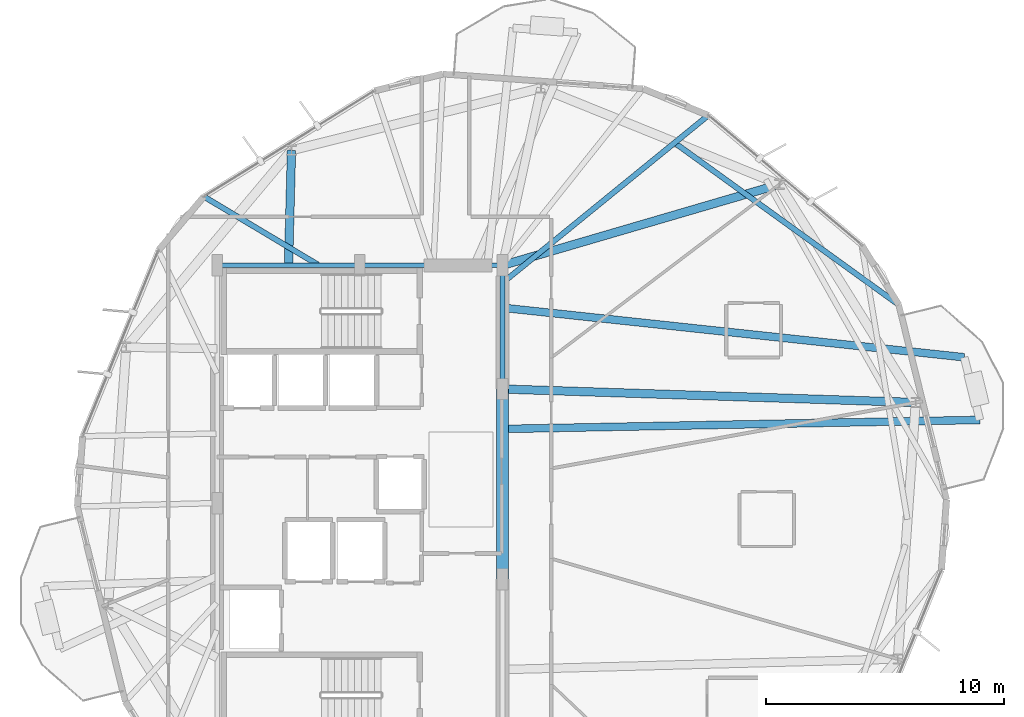
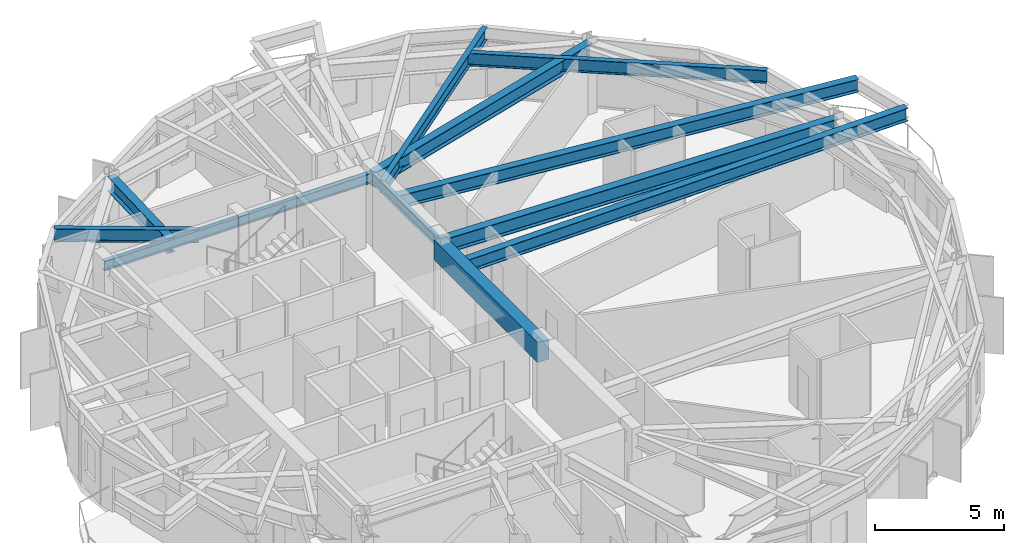
# One storey, part 7 of 21: 12 beams.
"""IFC4 building model written with IfcOpenShell, lengths in metres."""

from ifc_helpers import new_model, si_unit, direction, frame, origin, origin_2d, place, context, subcontext, project, spatial, rectangle, i_section, extrude, material, material_profile, profile_set, type_object, element, save


model = new_model("IFC4")

# Units and contexts
model_context = context("Model", 3, precision=1e-05, world=origin(), true_north=direction((0.0, 1.0)))
body_context = subcontext(model_context, "Body", "Model", "MODEL_VIEW")
ifc_project = project(units=[si_unit("LENGTHUNIT", "METRE"), si_unit("AREAUNIT", "SQUARE_METRE"), si_unit("VOLUMEUNIT", "CUBIC_METRE"), si_unit("PLANEANGLEUNIT", "RADIAN"), si_unit("MASSUNIT", "GRAM", prefix="KILO")], contexts=[model_context])

# Site, building, storey
site_placement = place(None, origin())
site = spatial("IfcSite", under=ifc_project, at=site_placement, CompositionType="ELEMENT")
building_placement = place(site_placement, origin())
building = spatial("IfcBuilding", under=site, at=building_placement, Name="Soratama Intermodal Tower", CompositionType="ELEMENT")
storey_placement = place(building_placement, frame((0.0, 0.0, 153.39990234375)))
storey = spatial("IfcBuildingStorey", under=building, at=storey_placement, Name="L37", CompositionType="ELEMENT", Elevation=153.39990234375)

# Beams
ifc_material_1 = material(Name="Structural steel ASTM A992 Grade 50", Category="steel")
ifc_material_profile_1 = material_profile(ifc_material_1, i_section(OverallWidth=0.324951171875, OverallDepth=0.615966796875, WebThickness=0.013916015625, FlangeThickness=0.021484375, FilletRadius=0.013916015625, at=origin_2d()), Name="W24X117")
ifc_profile_set_1 = profile_set([ifc_material_profile_1], Name="Structural steel ASTM A992 Grade 50")
beam_type_1 = type_object("IfcBeamType", Name="BM-CANT-W24X117", PredefinedType="BEAM", material=ifc_profile_set_1)
beam_1_placement = place(storey_placement, frame((44.8349609375, 28.1240234375, 2.9921875), z_axis=(0.999820508175, 0.018946013641, 0.0), x_axis=(-0.018946013641, 0.999820508175, 0.0)))
element("IfcBeam", 1, at=beam_1_placement, inside=storey, type_object=beam_type_1, Name="BM-L37-CANT-1-1", PredefinedType="BEAM", context=body_context, shape_type="SweptSolid", body=[
    extrude(i_section(OverallWidth=0.324951171875, OverallDepth=0.615966796875, WebThickness=0.013916015625, FlangeThickness=0.021484375, FilletRadius=0.013916015625, at=origin_2d()), origin(), (0.0, 0.0, 1.0), 19.8447265625),
])
beam_2_placement = place(storey_placement, frame((44.639892578125, 33.214111328125, 2.9921875), z_axis=(0.994289377116, -0.106717545672, 0.0), x_axis=(0.106717545672, 0.994289377116, 0.0)))
element("IfcBeam", 2, at=beam_2_placement, inside=storey, type_object=beam_type_1, Name="BM-L37-CANT-1-2", PredefinedType="BEAM", context=body_context, shape_type="SweptSolid", body=[
    extrude(i_section(OverallWidth=0.324951171875, OverallDepth=0.615966796875, WebThickness=0.013916015625, FlangeThickness=0.021484375, FilletRadius=0.013916015625, at=origin_2d()), origin(), (0.0, 0.0, 1.0), 19.491455078125),
])
ifc_material_2 = material(Name="Concrete f'c 56 MPa", Category="concrete")
ifc_material_profile_2 = material_profile(ifc_material_2, rectangle(XDim=0.5, YDim=0.949951171875, at=origin_2d()), Name="RC500X950")
ifc_profile_set_2 = profile_set([ifc_material_profile_2], Name="Concrete f'c 56 MPa")
beam_type_2 = type_object("IfcBeamType", Name="BM-CPL-RC500X950", PredefinedType="BEAM", material=ifc_profile_set_2)
beam_3_placement = place(storey_placement, frame((44.60009765625, 21.800048828125, 2.8251953125), z_axis=(0.0, 1.0, 0.0), x_axis=(-1.0, 0.0, 0.0)))
element("IfcBeam", 3, at=beam_3_placement, inside=storey, type_object=beam_type_2, Name="L37 Core Coupling Beam East", PredefinedType="BEAM", context=body_context, shape_type="SweptSolid", body=[
    extrude(rectangle(XDim=0.5, YDim=0.949951171875, at=origin_2d()), origin(), (0.0, 0.0, 1.0), 8.0),
])
ifc_material_3 = material(Name="Structural steel ASTM A992 Grade 50", Category="steel")
ifc_material_profile_3 = material_profile(ifc_material_3, i_section(OverallWidth=0.19091796875, OverallDepth=0.4599609375, WebThickness=0.010009765625, FlangeThickness=0.01611328125, FilletRadius=0.010986328125, at=origin_2d()), Name="W18X55")
ifc_profile_set_3 = profile_set([ifc_material_profile_3], Name="Structural steel ASTM A992 Grade 50")
beam_type_3 = type_object("IfcBeamType", Name="BM-FLR-W18X55", PredefinedType="BEAM", material=ifc_profile_set_3)
beam_4_placement = place(storey_placement, frame((44.60009765625, 29.800048828125, 3.070068359375), z_axis=(0.0, 1.0, 0.0), x_axis=(-1.0, 0.0, 0.0)))
element("IfcBeam", 4, at=beam_4_placement, inside=storey, type_object=beam_type_3, Name="BM-L37-CRING-05", PredefinedType="BEAM", context=body_context, shape_type="SweptSolid", body=[
    extrude(i_section(OverallWidth=0.19091796875, OverallDepth=0.4599609375, WebThickness=0.010009765625, FlangeThickness=0.01611328125, FilletRadius=0.010986328125, at=origin_2d()), origin(), (0.0, 0.0, 1.0), 5.199951171875),
])
for number, where, z_axis, x_axis, name in (
    (5, (44.60009765625, 35.0, 3.070068359375), (-1.0, 0.0, 0.0), (0.0, -1.0, 0.0), "BM-L37-CRING-06"),
    (6, (38.60009765625, 35.0, 3.070068359375), (-1.0, 0.0, 0.0), (0.0, -1.0, 0.0), "BM-L37-CRING-07"),
):
    element("IfcBeam", number, at=place(storey_placement, frame(where, z_axis=z_axis, x_axis=x_axis)), inside=storey, type_object=beam_type_3, Name=name, PredefinedType="BEAM", context=body_context, shape_type="SweptSolid", body=[
        extrude(i_section(OverallWidth=0.19091796875, OverallDepth=0.4599609375, WebThickness=0.010009765625, FlangeThickness=0.01611328125, FilletRadius=0.010986328125, at=origin_2d()), origin(), (0.0, 0.0, 1.0), 6.0),
    ])
ifc_material_4 = material(Name="Structural steel ASTM A992 Grade 50", Category="steel")
ifc_material_profile_4 = material_profile(ifc_material_4, i_section(OverallWidth=0.35498046875, OverallDepth=0.695068359375, WebThickness=0.015380859375, FlangeThickness=0.02490234375, FilletRadius=0.01611328125, at=origin_2d()), Name="W27X146")
ifc_profile_set_4 = profile_set([ifc_material_profile_4], Name="Structural steel ASTM A992 Grade 50")
beam_type_4 = type_object("IfcBeamType", Name="BM-RING-W27X146", PredefinedType="BEAM", material=ifc_profile_set_4)
beam_5_placement = place(storey_placement, frame((44.60009765625, 29.800048828125, 2.95263671875), z_axis=(0.999469833309, -0.032558444449, 0.0), x_axis=(0.032558444449, 0.999469833309, 0.0)))
element("IfcBeam", 7, at=beam_5_placement, inside=storey, type_object=beam_type_4, Name="BM-L37-RAD-01", PredefinedType="BEAM", context=body_context, shape_type="SweptSolid", body=[
    extrude(i_section(OverallWidth=0.35498046875, OverallDepth=0.695068359375, WebThickness=0.015380859375, FlangeThickness=0.02490234375, FilletRadius=0.01611328125, at=origin_2d()), origin(), (0.0, 0.0, 1.0), 17.38916015625),
])
beam_6_placement = place(storey_placement, frame((44.60009765625, 35.0, 2.95263671875), z_axis=(0.959813691047, 0.280637984738, 0.0), x_axis=(-0.280637984738, 0.959813691047, 0.0)))
element("IfcBeam", 8, at=beam_6_placement, inside=storey, type_object=beam_type_4, Name="BM-L37-RAD-02", PredefinedType="BEAM", context=body_context, shape_type="SweptSolid", body=[
    extrude(i_section(OverallWidth=0.35498046875, OverallDepth=0.695068359375, WebThickness=0.015380859375, FlangeThickness=0.02490234375, FilletRadius=0.01611328125, at=origin_2d()), origin(), (0.0, 0.0, 1.0), 12.13671875),
])
beam_7_placement = place(storey_placement, frame((35.60009765625, 35.0, 2.95263671875), z_axis=(0.026013685955, 0.99966158681, 0.0), x_axis=(-0.99966158681, 0.026013685955, 0.0)))
element("IfcBeam", 9, at=beam_7_placement, inside=storey, type_object=beam_type_4, Name="BM-L37-RAD-04", PredefinedType="BEAM", context=body_context, shape_type="SweptSolid", body=[
    extrude(i_section(OverallWidth=0.35498046875, OverallDepth=0.695068359375, WebThickness=0.015380859375, FlangeThickness=0.02490234375, FilletRadius=0.01611328125, at=origin_2d()), origin(), (0.0, 0.0, 1.0), 4.8427734375),
])
ifc_material_5 = material(Name="Structural steel ASTM A992 Grade 50", Category="steel")
ifc_material_profile_5 = material_profile(ifc_material_5, i_section(OverallWidth=0.22900390625, OverallDepth=0.612060546875, WebThickness=0.011962890625, FlangeThickness=0.01953125, FilletRadius=0.012939453125, at=origin_2d()), Name="W24X84")
ifc_profile_set_5 = profile_set([ifc_material_profile_5], Name="Structural steel ASTM A992 Grade 50")
beam_type_5 = type_object("IfcBeamType", Name="BM-TIE-W24X84", PredefinedType="BEAM", material=ifc_profile_set_5)
beam_8_placement = place(storey_placement, frame((44.631103515625, 34.2880859375, 2.994140625), z_axis=(0.775517522438, 0.631326042859, 0.0), x_axis=(-0.631326042859, 0.775517522438, 0.0)))
element("IfcBeam", 10, at=beam_8_placement, inside=storey, type_object=beam_type_5, Name="BM-L37-TIE1-01", PredefinedType="BEAM", context=body_context, shape_type="SweptSolid", body=[
    extrude(i_section(OverallWidth=0.22900390625, OverallDepth=0.612060546875, WebThickness=0.011962890625, FlangeThickness=0.01953125, FilletRadius=0.012939453125, at=origin_2d()), origin(), (0.0, 0.0, 1.0), 11.1240234375),
])
beam_9_placement = place(storey_placement, frame((36.85009765625, 35.02099609375, 2.994140625), z_axis=(-0.858559784116, 0.512713464908, 0.0), x_axis=(-0.512713464908, -0.858559784116, 0.0)))
element("IfcBeam", 11, at=beam_9_placement, inside=storey, type_object=beam_type_5, Name="BM-L37-TIE1-03", PredefinedType="BEAM", context=body_context, shape_type="SweptSolid", body=[
    extrude(i_section(OverallWidth=0.22900390625, OverallDepth=0.612060546875, WebThickness=0.011962890625, FlangeThickness=0.01953125, FilletRadius=0.012939453125, at=origin_2d()), origin(), (0.0, 0.0, 1.0), 5.603515625),
])
beam_10_placement = place(storey_placement, frame((51.77099609375, 40.2041015625, 2.994140625), z_axis=(0.810555034135, -0.585662476721, 0.0), x_axis=(0.585662476721, 0.810555034135, 0.0)))
element("IfcBeam", 12, at=beam_10_placement, inside=storey, type_object=beam_type_5, Name="BM-L37-TIE1-10", PredefinedType="BEAM", context=body_context, shape_type="SweptSolid", body=[
    extrude(i_section(OverallWidth=0.22900390625, OverallDepth=0.612060546875, WebThickness=0.011962890625, FlangeThickness=0.01953125, FilletRadius=0.012939453125, at=origin_2d()), origin(), (0.0, 0.0, 1.0), 11.716796875),
])

save(model, "model.ifc")
